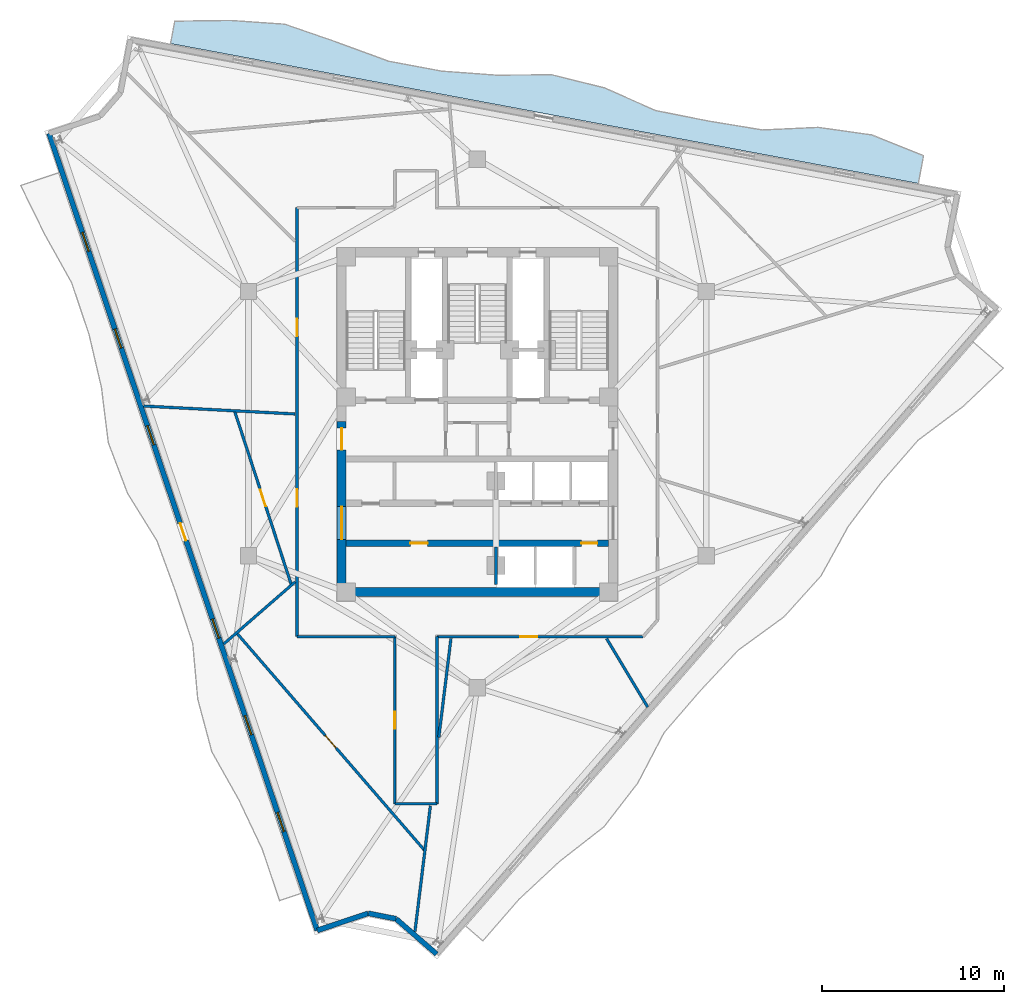
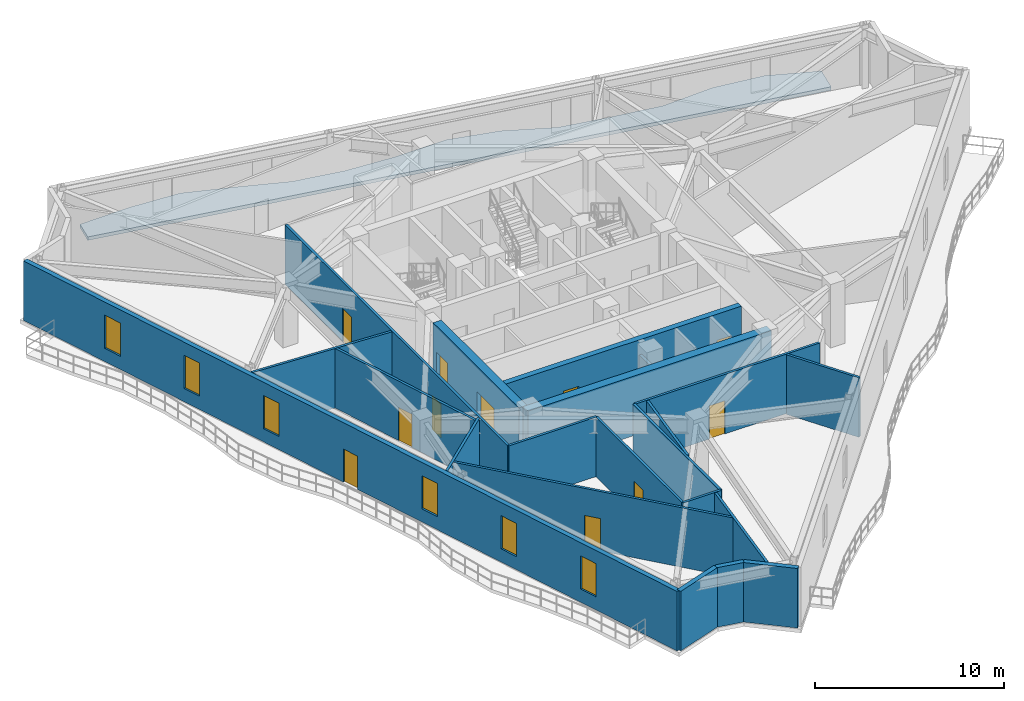
# One storey, part 4 of 11: 21 walls, 11 doors, 6 windows, 1 slab, 17 openings.
"""IFC4 building model written with IfcOpenShell, lengths in metres."""

import ifcopenshell
import ifcopenshell.guid

model = None  # the IFC model being written
_history = None  # IfcOwnerHistory: only IFC2X3 demands one
_inside = {}  # id of a spatial element -> (the spatial element, [elements in it])
_under = {}  # id of a project, library or spatial element -> (it, [spatial elements below it])
_declared = {}  # id of a project -> (the project, [libraries it declares])
_typed = {}  # id of a type object -> (the type object, [elements of that type])
_made_of = {}  # id of a material, layer set ... -> (it, [elements and type objects made of it])


def new_model(schema):
    """Start an empty IFC model of exactly this schema.

    Asked for "IFC4X3", IfcOpenShell would pick the latest addendum, in which some entities
    have other attributes; the version numbers below select the first issue.
    IFC2X3 requires an IfcOwnerHistory on every rooted entity: one is made here for all.
    """
    global model, _history
    if schema == "IFC4X3":
        model = ifcopenshell.file(schema_version=(4, 3, 0, 0))
    else:
        model = ifcopenshell.file(schema=schema)
    _inside.clear()
    _under.clear()
    _declared.clear()
    _typed.clear()
    _made_of.clear()
    _history = None
    if model.schema == "IFC2X3":
        org = make("IfcOrganization", Name="unknown")
        user = make(
            "IfcPersonAndOrganization",
            ThePerson=make("IfcPerson", FamilyName="unknown"),
            TheOrganization=org,
        )
        app = make(
            "IfcApplication",
            ApplicationDeveloper=org,
            Version="unknown",
            ApplicationFullName="unknown",
            ApplicationIdentifier="unknown",
        )
        _history = make(
            "IfcOwnerHistory",
            OwningUser=user,
            OwningApplication=app,
            ChangeAction="ADDED",
            CreationDate=0,
        )
    return model


def make(cls, **values):
    """One entity of the class cls with the attributes given. An attribute that is None is left unset."""
    return model.create_entity(
        cls, **{name: value for name, value in values.items() if value is not None}
    )


def rooted(cls, **values):
    """An entity with a GlobalId (a new one), such as an element, a storey or a relation."""
    return make(cls, GlobalId=ifcopenshell.guid.new(), OwnerHistory=_history, **values)


def si_unit(unit_type, name, prefix=None):
    """IfcSIUnit, for example si_unit("LENGTHUNIT", "METRE", prefix="MILLI")."""
    return make("IfcSIUnit", UnitType=unit_type, Prefix=prefix, Name=name)


def assignment(units):
    """IfcUnitAssignment: the units of a project."""
    return None if units is None else make("IfcUnitAssignment", Units=units)


def point(xyz):
    """IfcCartesianPoint."""
    return None if xyz is None else make("IfcCartesianPoint", Coordinates=xyz)


def direction(xyz):
    """IfcDirection."""
    return None if xyz is None else make("IfcDirection", DirectionRatios=xyz)


def frame(location, z_axis=None, x_axis=None):
    """IfcAxis2Placement3D, a coordinate frame: its origin and axes. An axis left out is left unset."""
    return make(
        "IfcAxis2Placement3D",
        Location=point(location),
        Axis=direction(z_axis),
        RefDirection=direction(x_axis),
    )


def frame_2d(location, x_axis=None):
    """IfcAxis2Placement2D, a coordinate frame in the plane: its origin and x axis."""
    return make(
        "IfcAxis2Placement2D", Location=point(location), RefDirection=direction(x_axis)
    )


def origin():
    """The frame at (0, 0, 0) with its axes left unset."""
    return frame((0.0, 0.0, 0.0))


def place(relative_to, where):
    """IfcLocalPlacement: puts the frame where relative to a parent placement (None: the world)."""
    return make(
        "IfcLocalPlacement", PlacementRelTo=relative_to, RelativePlacement=where
    )


def context(
    kind, dimensions, precision=None, world=None, true_north=None, identifier=None
):
    """IfcGeometricRepresentationContext, for example the 3D "Model" context."""
    return make(
        "IfcGeometricRepresentationContext",
        ContextIdentifier=identifier,
        ContextType=kind,
        CoordinateSpaceDimension=dimensions,
        Precision=precision,
        WorldCoordinateSystem=world,
        TrueNorth=true_north,
    )


def subcontext(parent, identifier, kind, view, scale=None):
    """IfcGeometricRepresentationSubContext, for example "Body" below "Model"."""
    return make(
        "IfcGeometricRepresentationSubContext",
        ContextIdentifier=identifier,
        ContextType=kind,
        ParentContext=parent,
        TargetScale=scale,
        TargetView=view,
    )


def project(units=None, contexts=None):
    """IfcProject with its units and contexts."""
    return rooted(
        "IfcProject",
        Name="project",
        RepresentationContexts=contexts,
        UnitsInContext=assignment(units),
    )


def spatial(cls, under=None, at=None, **own):
    """A site, building, storey or space (cls), placed at a placement, below another one or the project."""
    s = rooted(cls, ObjectPlacement=at, **own)
    if under is not None:
        _under.setdefault(under.id(), (under, []))[1].append(s)
    return s


def polyline(points):
    """IfcPolyline through the points."""
    return make("IfcPolyline", Points=[point(p) for p in points])


def profile(cls, at=None, kind="AREA", **sizes):
    """A parametric profile (cls). Its sizes go by their IFC names, for example OverallWidth=200.0."""
    return make(cls, ProfileType=kind, Position=at, **sizes)


def rectangle(**sizes):
    """IfcRectangleProfileDef."""
    return profile("IfcRectangleProfileDef", **sizes)


def outline(outer, holes=None, kind="AREA"):
    """IfcArbitraryClosedProfileDef: a profile drawn as a closed curve; with holes, ...WithVoids."""
    if holes is None:
        return make("IfcArbitraryClosedProfileDef", ProfileType=kind, OuterCurve=outer)
    return make(
        "IfcArbitraryProfileDefWithVoids",
        ProfileType=kind,
        OuterCurve=outer,
        InnerCurves=holes,
    )


def extrude(swept, where, along, depth):
    """IfcExtrudedAreaSolid: the profile swept, set in the frame where, extruded along a direction by depth."""
    return make(
        "IfcExtrudedAreaSolid",
        SweptArea=swept,
        Position=where,
        ExtrudedDirection=direction(along),
        Depth=depth,
    )


def shape(context_of_items, identifier, shape_type, items):
    """IfcShapeRepresentation: the items that make up one representation, for example the "Body"."""
    return make(
        "IfcShapeRepresentation",
        ContextOfItems=context_of_items,
        RepresentationIdentifier=identifier,
        RepresentationType=shape_type,
        Items=items,
    )


def material(Name=None, Category=None):
    """IfcMaterial."""
    return make("IfcMaterial", Name=Name, Category=Category)


def layer(
    of_material, thickness, ventilated=None, Name=None, Category=None, Priority=None
):
    """IfcMaterialLayer: one layer of a wall or slab, of a material (None: an air gap)."""
    return make(
        "IfcMaterialLayer",
        Material=of_material,
        LayerThickness=thickness,
        IsVentilated=ventilated,
        Name=Name,
        Category=Category,
        Priority=Priority,
    )


def layer_set(layers, Name=None):
    """IfcMaterialLayerSet."""
    return make("IfcMaterialLayerSet", MaterialLayers=layers, LayerSetName=Name)


def made_of(thing, what):
    """Note that an element or type object is made of a material, layer set ...; save() writes the relation."""
    if what is not None:
        _made_of.setdefault(what.id(), (what, []))[1].append(thing)
    return thing


def type_object(cls, material=None, **own):
    """A type object (cls), such as IfcWallType, which elements share."""
    return made_of(rooted(cls, **own), material)


def element(
    cls,
    number,
    at=None,
    inside=None,
    cuts=None,
    type_object=None,
    material=None,
    context=None,
    identifier="Body",
    shape_type=None,
    held_by="IfcProductDefinitionShape",
    body=None,
    shapes=None,
    **own,
):
    """One element of the class cls, such as IfcWall. Its Tag is "e" and its number.

    at: its placement. inside: the storey or other place that contains it. cuts: it is an
    opening in that element (IfcRelVoidsElement). A single representation is given by context,
    identifier, shape_type and body (its items); several are given by shapes. held_by: the class
    of the entity that holds the representations. save() writes the other relations.
    """
    e = rooted(cls, Tag="e%d" % number, ObjectPlacement=at, **own)
    if body is not None:
        shapes = [shape(context, identifier, shape_type, body)]
    if shapes is not None:
        e.Representation = make(held_by, Representations=shapes)
    if inside is not None:
        _inside.setdefault(inside.id(), (inside, []))[1].append(e)
    if cuts is not None:
        rooted(
            "IfcRelVoidsElement", RelatingBuildingElement=cuts, RelatedOpeningElement=e
        )
    if type_object is not None:
        _typed.setdefault(type_object.id(), (type_object, []))[1].append(e)
    return made_of(e, material)


def fill(opening, filler):
    """IfcRelFillsElement: the door or window that sits in an opening."""
    return rooted(
        "IfcRelFillsElement",
        RelatingOpeningElement=opening,
        RelatedBuildingElement=filler,
    )


def aggregate(whole, parts):
    """IfcRelAggregates: a whole, such as a stair, and the parts it consists of."""
    return rooted("IfcRelAggregates", RelatingObject=whole, RelatedObjects=parts)


def save(model, path):
    """Write the relations noted so far, then the file.

    IfcRelAggregates (storeys below a building ...), IfcRelContainedInSpatialStructure (elements
    in a storey), IfcRelDefinesByType, IfcRelAssociatesMaterial and IfcRelDeclares: one each for
    every whole, place, type object, material and project.
    """
    for whole, parts in _under.values():
        aggregate(whole, parts)
    for where, things in _inside.values():
        rooted(
            "IfcRelContainedInSpatialStructure",
            RelatedElements=things,
            RelatingStructure=where,
        )
    for kind, things in _typed.values():
        rooted("IfcRelDefinesByType", RelatedObjects=things, RelatingType=kind)
    for what, things in _made_of.values():
        rooted("IfcRelAssociatesMaterial", RelatedObjects=things, RelatingMaterial=what)
    for by, libraries in _declared.values():
        rooted("IfcRelDeclares", RelatingContext=by, RelatedDefinitions=libraries)
    model.write(path)


model = new_model("IFC4")

# Units and contexts
model_context = context("Model", 3, precision=1e-05, world=origin(), true_north=direction((0.0, 1.0)))
body_context = subcontext(model_context, "Body", "Model", "MODEL_VIEW")
ifc_project = project(units=[si_unit("LENGTHUNIT", "METRE"), si_unit("AREAUNIT", "SQUARE_METRE"), si_unit("VOLUMEUNIT", "CUBIC_METRE"), si_unit("PLANEANGLEUNIT", "RADIAN"), si_unit("MASSUNIT", "GRAM", prefix="KILO")], contexts=[model_context])

# Site, building, storey
site_placement = place(None, origin())
site = spatial("IfcSite", under=ifc_project, at=site_placement, CompositionType="ELEMENT")
building_placement = place(site_placement, origin())
building = spatial("IfcBuilding", under=site, at=building_placement, Name="Apsidion Concourse Tower", CompositionType="ELEMENT")
storey_placement = place(building_placement, frame((0.0, 0.0, 281.89990234375)))
storey = spatial("IfcBuildingStorey", under=building, at=storey_placement, Name="L66", CompositionType="ELEMENT", Elevation=281.89990234375)

# Slab
ifc_material_1 = material(Name="Concrete C50/60", Category="concrete")
ifc_layer_1 = layer(ifc_material_1, 0.219970703125)
ifc_layer_set_1 = layer_set([ifc_layer_1], Name="Concrete C50/60")
slab_type = type_object("IfcSlabType", Name="SL-BAL-220", PredefinedType="FLOOR", material=ifc_layer_set_1)
slab_placement = place(storey_placement, frame((0.0, 0.0, -0.219970703125)))
element("IfcSlab", 1, at=slab_placement, inside=storey, type_object=slab_type, Name="L66 Face 3 Rippling Balcony Slab", PredefinedType="FLOOR", context=body_context, shape_type="SweptSolid", body=[
    extrude(outline(polyline([(24.208251953125, 13.178955078125), (21.276123046875, 13.7275390625), (18.343994140625, 14.27587890625), (15.41162109375, 14.824462890625), (12.4794921875, 15.373046875), (9.54736328125, 15.921630859375), (6.615234375, 16.47021484375), (3.68310546875, 17.018798828125), (0.750732421875, 17.567138671875), (-2.181396484375, 18.11572265625), (-5.113525390625, 18.664306640625), (-8.045654296875, 19.212890625), (-10.977783203125, 19.761474609375), (-13.91015625, 20.309814453125), (-16.84228515625, 20.8583984375), (-16.6123046875, 22.087158203125), (-13.56982421875, 22.128173828125), (-10.57373046875, 21.921875), (-7.72314453125, 20.93701171875), (-4.8837890625, 19.89306640625), (-1.951416015625, 19.344482421875), (1.042236328125, 19.124755859375), (4.08056640625, 19.143310546875), (6.981201171875, 18.427001953125), (9.782958984375, 17.18115234375), (12.70947265625, 16.601806640625), (15.6533203125, 16.115478515625), (18.714599609375, 16.25732421875), (21.671142578125, 15.839599609375), (24.4931640625, 14.702392578125), (24.208251953125, 13.178955078125)])), origin(), (0.0, 0.0, 1.0), 0.219970703125),
])

# Walls
ifc_material_2 = material(Name="Precast concrete C40/50", Category="concrete")
ifc_layer_2 = layer(ifc_material_2, 0.280029296875)
ifc_layer_set_2 = layer_set([ifc_layer_2], Name="Precast concrete C40/50")
wall_type_1 = type_object("IfcWallType", Name="WL-EXT-280", PredefinedType="STANDARD", material=ifc_layer_set_2)
wall_1_placement = place(storey_placement, frame((-2.235595703125, -29.126220703125, 0.0), z_axis=(0.0, 0.0, 1.0), x_axis=(-0.754753154029, 0.656008899698, 0.0)))
element("IfcWall", 2, at=wall_1_placement, inside=storey, type_object=wall_type_1, Name="L66 Precast Stone Facade Wall 06", PredefinedType="STANDARD", context=body_context, shape_type="SweptSolid", body=[
    extrude(rectangle(XDim=2.95458984375, YDim=0.280029296875, at=frame_2d((1.477294921875, 0.0))), origin(), (0.0, 0.0, 1.0), 3.85009765625),
])
wall_2_placement = place(storey_placement, frame((-4.465576171875, -27.18798828125, 0.0), z_axis=(0.0, 0.0, 1.0), x_axis=(-0.980935552899, 0.194333324621, 0.0)))
element("IfcWall", 3, at=wall_2_placement, inside=storey, type_object=wall_type_1, Name="L66 Precast Stone Facade Wall 07", PredefinedType="STANDARD", context=body_context, shape_type="SweptSolid", body=[
    extrude(rectangle(XDim=1.553955078125, YDim=0.280029296875, at=frame_2d((0.77685546875, 0.0))), origin(), (0.0, 0.0, 1.0), 3.85009765625),
])
wall_3_placement = place(storey_placement, frame((-5.989990234375, -26.885986328125, 0.0), z_axis=(0.0, 0.0, 1.0), x_axis=(-0.947795421507, -0.318879035013, 0.0)))
element("IfcWall", 4, at=wall_3_placement, inside=storey, type_object=wall_type_1, Name="L66 Precast Stone Facade Wall 08", PredefinedType="STANDARD", context=body_context, shape_type="SweptSolid", body=[
    extrude(rectangle(XDim=2.95458984375, YDim=0.280029296875, at=frame_2d((1.477294921875, 0.0))), origin(), (0.0, 0.0, 1.0), 3.85009765625),
])

# Wall, openings, door, windows
wall_4_placement = place(storey_placement, frame((-8.790283203125, -27.828125, 0.0), z_axis=(0.0, 0.0, 1.0), x_axis=(-0.318898365887, 0.947788917552, 0.0)))
wall_4 = element("IfcWall", 5, at=wall_4_placement, inside=storey, type_object=wall_type_1, Name="L66 Precast Stone Facade Wall 09", PredefinedType="STANDARD", context=body_context, shape_type="SweptSolid", body=[
    extrude(rectangle(XDim=46.16259765625, YDim=0.280029296875, at=frame_2d((23.081298828125, 0.0))), origin(), (0.0, 0.0, 1.0), 3.85009765625),
])
opening_1_placement = place(wall_4_placement, frame((22.581298828125, 0.0, 0.0)))
opening_1 = element("IfcOpeningElement", 6, at=opening_1_placement, cuts=wall_4, Name="Opening D-T1L", PredefinedType="OPENING", context=body_context, shape_type="SweptSolid", body=[
    extrude(rectangle(XDim=1.0, YDim=2.14990234375, at=frame_2d((0.5, 1.074951171875))), frame((0.0, 0.14990234375, 0.0), z_axis=(0.0, -1.0, 0.0), x_axis=(1.0, 0.0, 0.0)), (0.0, 0.0, 1.0), 0.300048828125),
])
opening_2_placement = place(wall_4_placement, frame((5.731201171875, 0.0, 0.85009765625)))
opening_2 = element("IfcOpeningElement", 7, at=opening_2_placement, cuts=wall_4, Name="Opening WN-07", PredefinedType="OPENING", context=body_context, shape_type="SweptSolid", body=[
    extrude(rectangle(XDim=1.10009765625, YDim=2.14990234375, at=frame_2d((0.550048828125, 1.074951171875))), frame((0.0, 0.14990234375, 0.0), z_axis=(0.0, -1.0, 0.0), x_axis=(1.0, 0.0, 0.0)), (0.0, 0.0, 1.0), 0.300048828125),
])
opening_3_placement = place(wall_4_placement, frame((11.331298828125, 0.0, 0.85009765625)))
opening_3 = element("IfcOpeningElement", 8, at=opening_3_placement, cuts=wall_4, Name="Opening WN-07", PredefinedType="OPENING", context=body_context, shape_type="SweptSolid", body=[
    extrude(rectangle(XDim=1.10009765625, YDim=2.14990234375, at=frame_2d((0.550048828125, 1.074951171875))), frame((0.0, 0.14990234375, 0.0), z_axis=(0.0, -1.0, 0.0), x_axis=(1.0, 0.0, 0.0)), (0.0, 0.0, 1.0), 0.300048828125),
])
opening_4_placement = place(wall_4_placement, frame((16.931396484375, 0.0, 0.85009765625)))
opening_4 = element("IfcOpeningElement", 9, at=opening_4_placement, cuts=wall_4, Name="Opening WN-07", PredefinedType="OPENING", context=body_context, shape_type="SweptSolid", body=[
    extrude(rectangle(XDim=1.10009765625, YDim=2.14990234375, at=frame_2d((0.550048828125, 1.074951171875))), frame((0.0, 0.14990234375, 0.0), z_axis=(0.0, -1.0, 0.0), x_axis=(1.0, 0.0, 0.0)), (0.0, 0.0, 1.0), 0.300048828125),
])
opening_5_placement = place(wall_4_placement, frame((28.13134765625, 0.0, 0.85009765625)))
opening_5 = element("IfcOpeningElement", 10, at=opening_5_placement, cuts=wall_4, Name="Opening WN-07", PredefinedType="OPENING", context=body_context, shape_type="SweptSolid", body=[
    extrude(rectangle(XDim=1.10009765625, YDim=2.14990234375, at=frame_2d((0.550048828125, 1.074951171875))), frame((0.0, 0.14990234375, 0.0), z_axis=(0.0, -1.0, 0.0), x_axis=(1.0, 0.0, 0.0)), (0.0, 0.0, 1.0), 0.300048828125),
])
opening_6_placement = place(wall_4_placement, frame((33.731201171875, 0.0, 0.85009765625)))
opening_6 = element("IfcOpeningElement", 11, at=opening_6_placement, cuts=wall_4, Name="Opening WN-07", PredefinedType="OPENING", context=body_context, shape_type="SweptSolid", body=[
    extrude(rectangle(XDim=1.10009765625, YDim=2.14990234375, at=frame_2d((0.550048828125, 1.074951171875))), frame((0.0, 0.14990234375, 0.0), z_axis=(0.0, -1.0, 0.0), x_axis=(1.0, 0.0, 0.0)), (0.0, 0.0, 1.0), 0.300048828125),
])
opening_7_placement = place(wall_4_placement, frame((39.331298828125, 0.0, 0.85009765625)))
opening_7 = element("IfcOpeningElement", 12, at=opening_7_placement, cuts=wall_4, Name="Opening WN-07", PredefinedType="OPENING", context=body_context, shape_type="SweptSolid", body=[
    extrude(rectangle(XDim=1.10009765625, YDim=2.14990234375, at=frame_2d((0.550048828125, 1.074951171875))), frame((0.0, 0.14990234375, 0.0), z_axis=(0.0, -1.0, 0.0), x_axis=(1.0, 0.0, 0.0)), (0.0, 0.0, 1.0), 0.300048828125),
])
ifc_material_3 = material(Name="Anodised aluminium EN AW-6063 T6", Category="aluminium")
door_type_1 = type_object("IfcDoorType", Name="DR-TER-1022L", OperationType="SINGLE_SWING_LEFT", PredefinedType="DOOR", material=ifc_material_3)
door_1_placement = place(opening_1_placement, origin())
door_1 = element("IfcDoor", 13, at=door_1_placement, inside=storey, type_object=door_type_1, Name="L66 Balcony Access Door 1", OperationType="SINGLE_SWING_LEFT", OverallHeight=2.14990234375, OverallWidth=1.0, PredefinedType="DOOR", context=body_context, shape_type="SweptSolid", body=[
    extrude(rectangle(XDim=1.0, YDim=2.14990234375, at=frame_2d((0.5, 1.074951171875))), frame((0.0, 0.02490234375, 0.0), z_axis=(0.0, -1.0, 0.0), x_axis=(1.0, 0.0, 0.0)), (0.0, 0.0, 1.0), 0.050048828125),
])
fill(opening_1, door_1)
ifc_material_4 = material(Name="Insulated laminated low-E glass", Category="glass")
window_type = type_object("IfcWindowType", Name="WN-OFF-1123", PartitioningType="SINGLE_PANEL", PredefinedType="WINDOW", material=ifc_material_4)
window_1_placement = place(opening_2_placement, origin())
window_1 = element("IfcWindow", 14, at=window_1_placement, inside=storey, type_object=window_type, Name="L66 Punched Facade Window 9-01", OverallHeight=2.14990234375, OverallWidth=1.10009765625, PartitioningType="SINGLE_PANEL", PredefinedType="WINDOW", context=body_context, shape_type="SweptSolid", body=[
    extrude(rectangle(XDim=1.10009765625, YDim=2.14990234375, at=frame_2d((0.550048828125, 1.074951171875))), frame((0.0, 0.030029296875, 0.0), z_axis=(0.0, -1.0, 0.0), x_axis=(1.0, 0.0, 0.0)), (0.0, 0.0, 1.0), 0.06005859375),
])
fill(opening_2, window_1)
window_2_placement = place(opening_3_placement, origin())
window_2 = element("IfcWindow", 15, at=window_2_placement, inside=storey, type_object=window_type, Name="L66 Punched Facade Window 9-02", OverallHeight=2.14990234375, OverallWidth=1.10009765625, PartitioningType="SINGLE_PANEL", PredefinedType="WINDOW", context=body_context, shape_type="SweptSolid", body=[
    extrude(rectangle(XDim=1.10009765625, YDim=2.14990234375, at=frame_2d((0.550048828125, 1.074951171875))), frame((0.0, 0.030029296875, 0.0), z_axis=(0.0, -1.0, 0.0), x_axis=(1.0, 0.0, 0.0)), (0.0, 0.0, 1.0), 0.06005859375),
])
fill(opening_3, window_2)
window_3_placement = place(opening_4_placement, origin())
window_3 = element("IfcWindow", 16, at=window_3_placement, inside=storey, type_object=window_type, Name="L66 Punched Facade Window 9-03", OverallHeight=2.14990234375, OverallWidth=1.10009765625, PartitioningType="SINGLE_PANEL", PredefinedType="WINDOW", context=body_context, shape_type="SweptSolid", body=[
    extrude(rectangle(XDim=1.10009765625, YDim=2.14990234375, at=frame_2d((0.550048828125, 1.074951171875))), frame((0.0, 0.030029296875, 0.0), z_axis=(0.0, -1.0, 0.0), x_axis=(1.0, 0.0, 0.0)), (0.0, 0.0, 1.0), 0.06005859375),
])
fill(opening_4, window_3)
window_4_placement = place(opening_5_placement, origin())
window_4 = element("IfcWindow", 17, at=window_4_placement, inside=storey, type_object=window_type, Name="L66 Punched Facade Window 9-05", OverallHeight=2.14990234375, OverallWidth=1.10009765625, PartitioningType="SINGLE_PANEL", PredefinedType="WINDOW", context=body_context, shape_type="SweptSolid", body=[
    extrude(rectangle(XDim=1.10009765625, YDim=2.14990234375, at=frame_2d((0.550048828125, 1.074951171875))), frame((0.0, 0.030029296875, 0.0), z_axis=(0.0, -1.0, 0.0), x_axis=(1.0, 0.0, 0.0)), (0.0, 0.0, 1.0), 0.06005859375),
])
fill(opening_5, window_4)
window_5_placement = place(opening_6_placement, origin())
window_5 = element("IfcWindow", 18, at=window_5_placement, inside=storey, type_object=window_type, Name="L66 Punched Facade Window 9-06", OverallHeight=2.14990234375, OverallWidth=1.10009765625, PartitioningType="SINGLE_PANEL", PredefinedType="WINDOW", context=body_context, shape_type="SweptSolid", body=[
    extrude(rectangle(XDim=1.10009765625, YDim=2.14990234375, at=frame_2d((0.550048828125, 1.074951171875))), frame((0.0, 0.030029296875, 0.0), z_axis=(0.0, -1.0, 0.0), x_axis=(1.0, 0.0, 0.0)), (0.0, 0.0, 1.0), 0.06005859375),
])
fill(opening_6, window_5)
window_6_placement = place(opening_7_placement, origin())
window_6 = element("IfcWindow", 19, at=window_6_placement, inside=storey, type_object=window_type, Name="L66 Punched Facade Window 9-07", OverallHeight=2.14990234375, OverallWidth=1.10009765625, PartitioningType="SINGLE_PANEL", PredefinedType="WINDOW", context=body_context, shape_type="SweptSolid", body=[
    extrude(rectangle(XDim=1.10009765625, YDim=2.14990234375, at=frame_2d((0.550048828125, 1.074951171875))), frame((0.0, 0.030029296875, 0.0), z_axis=(0.0, -1.0, 0.0), x_axis=(1.0, 0.0, 0.0)), (0.0, 0.0, 1.0), 0.06005859375),
])
fill(opening_7, window_6)

# Wall
ifc_material_5 = material(Name="Gypsum plasterboard partition")
ifc_layer_3 = layer(ifc_material_5, 0.14990234375)
ifc_layer_set_3 = layer_set([ifc_layer_3], Name="Gypsum plasterboard partition")
wall_type_2 = type_object("IfcWallType", Name="WL-INT-PAR-150", PredefinedType="PARTITIONING", material=ifc_layer_set_3)
wall_5_placement = place(storey_placement, frame((-4.530029296875, -11.699951171875, 0.0), z_axis=(0.0, 0.0, 1.0), x_axis=(-1.0, 0.0, 0.0)))
element("IfcWall", 20, at=wall_5_placement, inside=storey, type_object=wall_type_2, Name="L66 Interior Partition WL-L66-CORR-01", PredefinedType="PARTITIONING", context=body_context, shape_type="SweptSolid", body=[
    extrude(rectangle(XDim=5.369873046875, YDim=0.14990234375, at=frame_2d((2.68505859375, 0.0))), origin(), (0.0, 0.0, 1.0), 3.85009765625),
])

# Wall, openings, doors
wall_6_placement = place(storey_placement, frame((-9.89990234375, -11.699951171875, 0.0), z_axis=(0.0, 0.0, 1.0), x_axis=(0.0, 1.0, 0.0)))
wall_6 = element("IfcWall", 21, at=wall_6_placement, inside=storey, type_object=wall_type_2, Name="L66 Interior Partition WL-L66-CORR-02", PredefinedType="PARTITIONING", context=body_context, shape_type="SweptSolid", body=[
    extrude(rectangle(XDim=23.550048828125, YDim=0.14990234375, at=frame_2d((11.77490234375, 0.0))), origin(), (0.0, 0.0, 1.0), 3.85009765625),
])
opening_8_placement = place(wall_6_placement, frame((7.136474609375, 0.0, 0.0)))
opening_8 = element("IfcOpeningElement", 22, at=opening_8_placement, cuts=wall_6, Name="Opening D-01L", PredefinedType="OPENING", context=body_context, shape_type="SweptSolid", body=[
    extrude(rectangle(XDim=0.949951171875, YDim=2.14990234375, at=frame_2d((0.47509765625, 1.074951171875))), frame((0.0, 0.0849609375, 0.0), z_axis=(0.0, -1.0, 0.0), x_axis=(1.0, 0.0, 0.0)), (0.0, 0.0, 1.0), 0.169921875),
])
opening_9_placement = place(wall_6_placement, frame((16.4951171875, 0.0, 0.0)))
opening_9 = element("IfcOpeningElement", 23, at=opening_9_placement, cuts=wall_6, Name="Opening D-01L", PredefinedType="OPENING", context=body_context, shape_type="SweptSolid", body=[
    extrude(rectangle(XDim=0.949951171875, YDim=2.14990234375, at=frame_2d((0.47509765625, 1.074951171875))), frame((0.0, 0.0849609375, 0.0), z_axis=(0.0, -1.0, 0.0), x_axis=(1.0, 0.0, 0.0)), (0.0, 0.0, 1.0), 0.169921875),
])
ifc_material_6 = material(Name="Brushed stainless steel 316", Category="steel")
door_type_2 = type_object("IfcDoorType", Name="DR-INT-D01L", OperationType="SINGLE_SWING_LEFT", PredefinedType="DOOR", material=ifc_material_6)
door_2_placement = place(opening_8_placement, origin())
door_2 = element("IfcDoor", 24, at=door_2_placement, inside=storey, type_object=door_type_2, Name="L66 Corridor Entry Door 01", OperationType="SINGLE_SWING_LEFT", OverallHeight=2.14990234375, OverallWidth=0.949951171875, PredefinedType="DOOR", context=body_context, shape_type="SweptSolid", body=[
    extrude(rectangle(XDim=0.949951171875, YDim=2.14990234375, at=frame_2d((0.47509765625, 1.074951171875))), frame((0.0, 0.02490234375, 0.0), z_axis=(0.0, -1.0, 0.0), x_axis=(1.0, 0.0, 0.0)), (0.0, 0.0, 1.0), 0.050048828125),
])
fill(opening_8, door_2)
door_3_placement = place(opening_9_placement, origin())
door_3 = element("IfcDoor", 25, at=door_3_placement, inside=storey, type_object=door_type_2, Name="L66 Corridor Entry Door 09", OperationType="SINGLE_SWING_LEFT", OverallHeight=2.14990234375, OverallWidth=0.949951171875, PredefinedType="DOOR", context=body_context, shape_type="SweptSolid", body=[
    extrude(rectangle(XDim=0.949951171875, YDim=2.14990234375, at=frame_2d((0.47509765625, 1.074951171875))), frame((0.0, 0.02490234375, 0.0), z_axis=(0.0, -1.0, 0.0), x_axis=(1.0, 0.0, 0.0)), (0.0, 0.0, 1.0), 0.050048828125),
])
fill(opening_9, door_3)

# Wall, opening, door
wall_7_placement = place(storey_placement, frame((9.103271484375, -11.699951171875, 0.0), z_axis=(0.0, 0.0, 1.0), x_axis=(-1.0, 0.0, 0.0)))
wall_7 = element("IfcWall", 26, at=wall_7_placement, inside=storey, type_object=wall_type_2, Name="L66 Interior Partition WL-L66-CORR-10", PredefinedType="PARTITIONING", context=body_context, shape_type="SweptSolid", body=[
    extrude(rectangle(XDim=11.3232421875, YDim=0.14990234375, at=frame_2d((5.66162109375, 0.0))), origin(), (0.0, 0.0, 1.0), 3.85009765625),
])
opening_10_placement = place(wall_7_placement, frame((5.809326171875, 0.0, 0.0)))
opening_10 = element("IfcOpeningElement", 27, at=opening_10_placement, cuts=wall_7, Name="Opening D-01L", PredefinedType="OPENING", context=body_context, shape_type="SweptSolid", body=[
    extrude(rectangle(XDim=0.949951171875, YDim=2.14990234375, at=frame_2d((0.47509765625, 1.074951171875))), frame((0.0, 0.0849609375, 0.0), z_axis=(0.0, -1.0, 0.0), x_axis=(1.0, 0.0, 0.0)), (0.0, 0.0, 1.0), 0.169921875),
])
door_4_placement = place(opening_10_placement, origin())
door_4 = element("IfcDoor", 28, at=door_4_placement, inside=storey, type_object=door_type_2, Name="L66 Corridor Entry Door 03", OperationType="SINGLE_SWING_LEFT", OverallHeight=2.14990234375, OverallWidth=0.949951171875, PredefinedType="DOOR", context=body_context, shape_type="SweptSolid", body=[
    extrude(rectangle(XDim=0.949951171875, YDim=2.14990234375, at=frame_2d((0.47509765625, 1.074951171875))), frame((0.0, 0.02490234375, 0.0), z_axis=(0.0, -1.0, 0.0), x_axis=(1.0, 0.0, 0.0)), (0.0, 0.0, 1.0), 0.050048828125),
])
fill(opening_10, door_4)

# Walls
wall_8_placement = place(storey_placement, frame((-2.219970703125, -11.699951171875, 0.0), z_axis=(0.0, 0.0, 1.0), x_axis=(0.0, -1.0, 0.0)))
element("IfcWall", 29, at=wall_8_placement, inside=storey, type_object=wall_type_2, Name="L66 Interior Partition WL-L66-CORR-11", PredefinedType="PARTITIONING", context=body_context, shape_type="SweptSolid", body=[
    extrude(rectangle(XDim=9.179931640625, YDim=0.14990234375, at=frame_2d((4.58984375, 0.0))), origin(), (0.0, 0.0, 1.0), 3.85009765625),
])
wall_9_placement = place(storey_placement, frame((-2.219970703125, -20.8798828125, 0.0), z_axis=(0.0, 0.0, 1.0), x_axis=(-1.0, 0.0, 0.0)))
element("IfcWall", 30, at=wall_9_placement, inside=storey, type_object=wall_type_2, Name="L66 Interior Partition WL-L66-CORR-12", PredefinedType="PARTITIONING", context=body_context, shape_type="SweptSolid", body=[
    extrude(rectangle(XDim=2.31005859375, YDim=0.14990234375, at=frame_2d((1.155029296875, 0.0))), origin(), (0.0, 0.0, 1.0), 3.85009765625),
])

# Wall, opening, door
wall_10_placement = place(storey_placement, frame((-4.530029296875, -20.8798828125, 0.0), z_axis=(0.0, 0.0, 1.0), x_axis=(0.0, 1.0, 0.0)))
wall_10 = element("IfcWall", 31, at=wall_10_placement, inside=storey, type_object=wall_type_2, Name="L66 Interior Partition WL-L66-CORR-13", PredefinedType="PARTITIONING", context=body_context, shape_type="SweptSolid", body=[
    extrude(rectangle(XDim=9.179931640625, YDim=0.14990234375, at=frame_2d((4.58984375, 0.0))), origin(), (0.0, 0.0, 1.0), 3.85009765625),
])
opening_11_placement = place(wall_10_placement, frame((4.114990234375, 0.0, 0.0)))
opening_11 = element("IfcOpeningElement", 32, at=opening_11_placement, cuts=wall_10, Name="Opening D-01R", PredefinedType="OPENING", context=body_context, shape_type="SweptSolid", body=[
    extrude(rectangle(XDim=0.949951171875, YDim=2.14990234375, at=frame_2d((0.47509765625, 1.074951171875))), frame((0.0, 0.0849609375, 0.0), z_axis=(0.0, -1.0, 0.0), x_axis=(1.0, 0.0, 0.0)), (0.0, 0.0, 1.0), 0.169921875),
])
door_type_3 = type_object("IfcDoorType", Name="DR-INT-D01R", OperationType="SINGLE_SWING_RIGHT", PredefinedType="DOOR", material=ifc_material_6)
door_5_placement = place(opening_11_placement, origin())
door_5 = element("IfcDoor", 33, at=door_5_placement, inside=storey, type_object=door_type_3, Name="L66 Corridor Entry Door 02", OperationType="SINGLE_SWING_RIGHT", OverallHeight=2.14990234375, OverallWidth=0.949951171875, PredefinedType="DOOR", context=body_context, shape_type="SweptSolid", body=[
    extrude(rectangle(XDim=0.949951171875, YDim=2.14990234375, at=frame_2d((0.47509765625, 1.074951171875))), frame((0.0, 0.02490234375, 0.0), z_axis=(0.0, -1.0, 0.0), x_axis=(1.0, 0.0, 0.0)), (0.0, 0.0, 1.0), 0.050048828125),
])
fill(opening_11, door_5)

# Walls
wall_11_placement = place(storey_placement, frame((-10.0048828125, 0.5244140625, 0.0), z_axis=(0.0, 0.0, 1.0), x_axis=(-0.998630204495, 0.052323175275, 0.0)))
element("IfcWall", 34, at=wall_11_placement, inside=storey, type_object=wall_type_2, Name="L66 Interior Partition WL-L66-RAD-05-1", PredefinedType="PARTITIONING", context=body_context, shape_type="SweptSolid", body=[
    extrude(rectangle(XDim=8.319580078125, YDim=0.14990234375, at=frame_2d((4.15966796875, 0.0))), origin(), (0.0, 0.0, 1.0), 3.85009765625),
])
wall_12_placement = place(storey_placement, frame((-10.0048828125, -8.697265625, 0.0), z_axis=(0.0, 0.0, 1.0), x_axis=(-0.754719019768, -0.656048169878, 0.0)))
element("IfcWall", 35, at=wall_12_placement, inside=storey, type_object=wall_type_2, Name="L66 Interior Partition WL-L66-RAD-06-1", PredefinedType="PARTITIONING", context=body_context, shape_type="SweptSolid", body=[
    extrude(rectangle(XDim=5.18603515625, YDim=0.14990234375, at=frame_2d((2.593017578125, 0.0))), origin(), (0.0, 0.0, 1.0), 3.85009765625),
])
wall_13_placement = place(storey_placement, frame((-1.449462890625, -11.804931640625, 0.0), z_axis=(0.0, 0.0, 1.0), x_axis=(-0.121866576679, -0.992546491349, 0.0)))
element("IfcWall", 36, at=wall_13_placement, inside=storey, type_object=wall_type_2, Name="L66 Interior Partition WL-L66-RAD-07-1", PredefinedType="PARTITIONING", context=body_context, shape_type="SweptSolid", body=[
    extrude(rectangle(XDim=5.461181640625, YDim=0.14990234375, at=frame_2d((2.73046875, 0.0))), origin(), (0.0, 0.0, 1.0), 3.85009765625),
])
wall_14_placement = place(storey_placement, frame((-2.57666015625, -20.985107421875, 0.0), z_axis=(0.0, 0.0, 1.0), x_axis=(-0.12188705435, -0.99254397685, 0.0)))
element("IfcWall", 37, at=wall_14_placement, inside=storey, type_object=wall_type_2, Name="L66 Interior Partition WL-L66-RAD-07-2", PredefinedType="PARTITIONING", context=body_context, shape_type="SweptSolid", body=[
    extrude(rectangle(XDim=6.954345703125, YDim=0.14990234375, at=frame_2d((3.47705078125, 0.0))), origin(), (0.0, 0.0, 1.0), 3.85009765625),
])
wall_15_placement = place(storey_placement, frame((7.09326171875, -11.804931640625, 0.0), z_axis=(0.0, 0.0, 1.0), x_axis=(0.514995377256, -0.857192954594, 0.0)))
element("IfcWall", 38, at=wall_15_placement, inside=storey, type_object=wall_type_2, Name="L66 Interior Partition WL-L66-RAD-08-1", PredefinedType="PARTITIONING", context=body_context, shape_type="SweptSolid", body=[
    extrude(rectangle(XDim=4.3828125, YDim=0.14990234375, at=frame_2d((2.19140625, 0.0))), origin(), (0.0, 0.0, 1.0), 3.85009765625),
])

# Wall, opening, door
wall_16_placement = place(storey_placement, frame((-13.321533203125, 0.673095703125, 0.0), z_axis=(0.0, 0.0, 1.0), x_axis=(0.31038469489, -0.950611035691, 0.0)))
wall_16 = element("IfcWall", 39, at=wall_16_placement, inside=storey, type_object=wall_type_2, Name="L66 Interior Partition WL-L66-CHD-OFWC", PredefinedType="PARTITIONING", context=body_context, shape_type="SweptSolid", body=[
    extrude(rectangle(XDim=10.01318359375, YDim=0.14990234375, at=frame_2d((5.006591796875, 0.0))), origin(), (0.0, 0.0, 1.0), 3.85009765625),
])
opening_12_placement = place(wall_16_placement, frame((4.531494140625, 0.0, 0.0)))
opening_12 = element("IfcOpeningElement", 40, at=opening_12_placement, cuts=wall_16, Name="Opening D-04L", PredefinedType="OPENING", context=body_context, shape_type="SweptSolid", body=[
    extrude(rectangle(XDim=0.949951171875, YDim=2.14990234375, at=frame_2d((0.47509765625, 1.074951171875))), frame((0.0, 0.0849609375, 0.0), z_axis=(0.0, -1.0, 0.0), x_axis=(1.0, 0.0, 0.0)), (0.0, 0.0, 1.0), 0.169921875),
])
door_type_4 = type_object("IfcDoorType", Name="DR-INT-D04L", OperationType="SINGLE_SWING_LEFT", PredefinedType="DOOR", material=ifc_material_6)
door_6_placement = place(opening_12_placement, origin())
door_6 = element("IfcDoor", 41, at=door_6_placement, inside=storey, type_object=door_type_4, Name="L66 Suite Connecting Door OFWC", OperationType="SINGLE_SWING_LEFT", OverallHeight=2.14990234375, OverallWidth=0.949951171875, PredefinedType="DOOR", context=body_context, shape_type="SweptSolid", body=[
    extrude(rectangle(XDim=0.949951171875, YDim=2.14990234375, at=frame_2d((0.47509765625, 1.074951171875))), frame((0.0, 0.02490234375, 0.0), z_axis=(0.0, -1.0, 0.0), x_axis=(1.0, 0.0, 0.0)), (0.0, 0.0, 1.0), 0.050048828125),
])
fill(opening_12, door_6)

wall_17_placement = place(storey_placement, frame((-13.202392578125, -11.510009765625, 0.0), z_axis=(0.0, 0.0, 1.0), x_axis=(0.653948688388, -0.756538903795, 0.0)))
wall_17 = element("IfcWall", 42, at=wall_17_placement, inside=storey, type_object=wall_type_2, Name="L66 Interior Partition WL-L66-CHD-OFS01", PredefinedType="PARTITIONING", context=body_context, shape_type="SweptSolid", body=[
    extrude(rectangle(XDim=15.751708984375, YDim=0.14990234375, at=frame_2d((7.8759765625, 0.0))), origin(), (0.0, 0.0, 1.0), 3.85009765625),
])
opening_13_placement = place(wall_17_placement, frame((7.42578125, 0.0, 0.0)))
opening_13 = element("IfcOpeningElement", 43, at=opening_13_placement, cuts=wall_17, Name="Opening D-02R", PredefinedType="OPENING", context=body_context, shape_type="SweptSolid", body=[
    extrude(rectangle(XDim=0.89990234375, YDim=2.10009765625, at=frame_2d((0.449951171875, 1.050048828125))), frame((0.0, 0.0849609375, 0.0), z_axis=(0.0, -1.0, 0.0), x_axis=(1.0, 0.0, 0.0)), (0.0, 0.0, 1.0), 0.169921875),
])
door_type_5 = type_object("IfcDoorType", Name="DR-INT-D02R", OperationType="SINGLE_SWING_RIGHT", PredefinedType="DOOR", material=ifc_material_3)
door_7_placement = place(opening_13_placement, origin())
door_7 = element("IfcDoor", 44, at=door_7_placement, inside=storey, type_object=door_type_5, Name="L66 Suite Connecting Door OFS01", OperationType="SINGLE_SWING_RIGHT", OverallHeight=2.10009765625, OverallWidth=0.89990234375, PredefinedType="DOOR", context=body_context, shape_type="SweptSolid", body=[
    extrude(rectangle(XDim=0.89990234375, YDim=2.10009765625, at=frame_2d((0.449951171875, 1.050048828125))), frame((0.0, 0.02490234375, 0.0), z_axis=(0.0, -1.0, 0.0), x_axis=(1.0, 0.0, 0.0)), (0.0, 0.0, 1.0), 0.050048828125),
])
fill(opening_13, door_7)

# Wall
ifc_layer_4 = layer(ifc_material_5, 0.179931640625)
ifc_layer_set_4 = layer_set([ifc_layer_4], Name="Gypsum plasterboard partition")
wall_type_3 = type_object("IfcWallType", Name="WL-INT-PAR-180", PredefinedType="PARTITIONING", material=ifc_layer_set_4)
wall_18_placement = place(storey_placement, frame((1.02490234375, -8.85009765625, 0.0), z_axis=(0.0, 0.0, 1.0), x_axis=(0.0, 1.0, 0.0)))
element("IfcWall", 45, at=wall_18_placement, inside=storey, type_object=wall_type_3, Name="L66 Interior Partition WL-L66-B2END", PredefinedType="PARTITIONING", context=body_context, shape_type="SweptSolid", body=[
    extrude(rectangle(XDim=2.080078125, YDim=0.179931640625, at=frame_2d((1.0400390625, 0.0))), origin(), (0.0, 0.0, 1.0), 2.898193359375),
])

# Wall, openings, doors
ifc_layer_5 = layer(ifc_material_1, 0.35009765625)
ifc_layer_set_5 = layer_set([ifc_layer_5], Name="Concrete C50/60")
wall_type_4 = type_object("IfcWallType", Name="WL-SH-350", PredefinedType="SHEAR", material=ifc_layer_set_5)
wall_19_placement = place(storey_placement, frame((-7.199951171875, -6.570068359375, 0.0), z_axis=(0.0, 0.0, 1.0), x_axis=(1.0, 0.0, 0.0)))
wall_19 = element("IfcWall", 46, at=wall_19_placement, inside=storey, type_object=wall_type_4, Name="L66 Central Core Shear Wall LB", PredefinedType="SHEAR", context=body_context, shape_type="SweptSolid", body=[
    extrude(rectangle(XDim=14.39990234375, YDim=0.35009765625, at=frame_2d((7.199951171875, 0.0))), origin(), (0.0, 0.0, 1.0), 3.85009765625),
])
opening_14_placement = place(wall_19_placement, frame((3.52490234375, 0.0, 0.0)))
opening_14 = element("IfcOpeningElement", 47, at=opening_14_placement, cuts=wall_19, Name="Opening D-04L", PredefinedType="OPENING", context=body_context, shape_type="SweptSolid", body=[
    extrude(rectangle(XDim=0.949951171875, YDim=2.14990234375, at=frame_2d((0.47509765625, 1.074951171875))), frame((0.0, 0.18505859375, 0.0), z_axis=(0.0, -1.0, 0.0), x_axis=(1.0, 0.0, 0.0)), (0.0, 0.0, 1.0), 0.3701171875),
])
opening_15_placement = place(wall_19_placement, frame((12.909912109375, 0.0, 0.0)))
opening_15 = element("IfcOpeningElement", 48, at=opening_15_placement, cuts=wall_19, Name="Opening D-05L", PredefinedType="OPENING", context=body_context, shape_type="SweptSolid", body=[
    extrude(rectangle(XDim=0.8798828125, YDim=2.14990234375, at=frame_2d((0.43994140625, 1.074951171875))), frame((0.0, 0.18505859375, 0.0), z_axis=(0.0, -1.0, 0.0), x_axis=(1.0, 0.0, 0.0)), (0.0, 0.0, 1.0), 0.3701171875),
])
door_8_placement = place(opening_14_placement, origin())
door_8 = element("IfcDoor", 49, at=door_8_placement, inside=storey, type_object=door_type_4, Name="L66 Executive Archive and Mail Room Door", OperationType="SINGLE_SWING_LEFT", OverallHeight=2.14990234375, OverallWidth=0.949951171875, PredefinedType="DOOR", context=body_context, shape_type="SweptSolid", body=[
    extrude(rectangle(XDim=0.949951171875, YDim=2.14990234375, at=frame_2d((0.47509765625, 1.074951171875))), frame((0.0, 0.02490234375, 0.0), z_axis=(0.0, -1.0, 0.0), x_axis=(1.0, 0.0, 0.0)), (0.0, 0.0, 1.0), 0.050048828125),
])
fill(opening_14, door_8)
door_type_6 = type_object("IfcDoorType", Name="DR-INT-D05L", OperationType="SINGLE_SWING_LEFT", PredefinedType="DOOR", material=ifc_material_6)
door_9_placement = place(opening_15_placement, origin())
door_9 = element("IfcDoor", 50, at=door_9_placement, inside=storey, type_object=door_type_6, Name="L66 Cleaners Store Door", OperationType="SINGLE_SWING_LEFT", OverallHeight=2.14990234375, OverallWidth=0.8798828125, PredefinedType="DOOR", context=body_context, shape_type="SweptSolid", body=[
    extrude(rectangle(XDim=0.8798828125, YDim=2.14990234375, at=frame_2d((0.43994140625, 1.074951171875))), frame((0.0, 0.02490234375, 0.0), z_axis=(0.0, -1.0, 0.0), x_axis=(1.0, 0.0, 0.0)), (0.0, 0.0, 1.0), 0.050048828125),
])
fill(opening_15, door_9)

ifc_layer_6 = layer(ifc_material_1, 0.5)
ifc_layer_set_6 = layer_set([ifc_layer_6], Name="Concrete C50/60")
wall_type_5 = type_object("IfcWallType", Name="WL-SH-500", PredefinedType="SHEAR", material=ifc_layer_set_6)
wall_20_placement = place(storey_placement, frame((-7.449951171875, -9.0, 0.0), z_axis=(0.0, 0.0, 1.0), x_axis=(0.0, 1.0, 0.0)))
wall_20 = element("IfcWall", 51, at=wall_20_placement, inside=storey, type_object=wall_type_5, Name="L66 Central Core Shear Wall WS", PredefinedType="SHEAR", context=body_context, shape_type="SweptSolid", body=[
    extrude(rectangle(XDim=9.10009765625, YDim=0.5, at=frame_2d((4.550048828125, 0.0))), origin(), (0.0, 0.0, 1.0), 3.85009765625),
])
opening_16_placement = place(wall_20_placement, frame((2.639892578125, 0.0, 0.0)))
opening_16 = element("IfcOpeningElement", 52, at=opening_16_placement, cuts=wall_20, Name="Opening D-06D", PredefinedType="OPENING", context=body_context, shape_type="SweptSolid", body=[
    extrude(rectangle(XDim=1.800048828125, YDim=2.199951171875, at=frame_2d((0.89990234375, 1.10009765625))), frame((0.0, 0.260009765625, 0.0), z_axis=(0.0, -1.0, 0.0), x_axis=(1.0, 0.0, 0.0)), (0.0, 0.0, 1.0), 0.52001953125),
])
opening_17_placement = place(wall_20_placement, frame((7.550048828125, 0.0, 0.0)))
opening_17 = element("IfcOpeningElement", 53, at=opening_17_placement, cuts=wall_20, Name="Opening D-FFL", PredefinedType="OPENING", context=body_context, shape_type="SweptSolid", body=[
    extrude(rectangle(XDim=1.199951171875, YDim=2.14990234375, at=frame_2d((0.60009765625, 1.074951171875))), frame((0.0, 0.260009765625, 0.0), z_axis=(0.0, -1.0, 0.0), x_axis=(1.0, 0.0, 0.0)), (0.0, 0.0, 1.0), 0.52001953125),
])
door_type_7 = type_object("IfcDoorType", Name="DR-INT-D06D", OperationType="DOUBLE_DOOR_SINGLE_SWING", PredefinedType="DOOR", material=ifc_material_6)
door_10_placement = place(opening_16_placement, origin())
door_10 = element("IfcDoor", 54, at=door_10_placement, inside=storey, type_object=door_type_7, Name="L66 Passenger Lift Lobby WS Portal Door", OperationType="DOUBLE_DOOR_SINGLE_SWING", OverallHeight=2.199951171875, OverallWidth=1.800048828125, PredefinedType="DOOR", context=body_context, shape_type="SweptSolid", body=[
    extrude(rectangle(XDim=1.800048828125, YDim=2.199951171875, at=frame_2d((0.89990234375, 1.10009765625))), frame((0.0, 0.02490234375, 0.0), z_axis=(0.0, -1.0, 0.0), x_axis=(1.0, 0.0, 0.0)), (0.0, 0.0, 1.0), 0.050048828125),
])
fill(opening_16, door_10)
door_type_8 = type_object("IfcDoorType", Name="DR-INT-FFL", OperationType="SINGLE_SWING_LEFT", PredefinedType="DOOR", material=ifc_material_6)
door_11_placement = place(opening_17_placement, origin())
door_11 = element("IfcDoor", 55, at=door_11_placement, inside=storey, type_object=door_type_8, Name="L66 Firefighting Lift Lobby FF1 Door", OperationType="SINGLE_SWING_LEFT", OverallHeight=2.14990234375, OverallWidth=1.199951171875, PredefinedType="DOOR", context=body_context, shape_type="SweptSolid", body=[
    extrude(rectangle(XDim=1.199951171875, YDim=2.14990234375, at=frame_2d((0.60009765625, 1.074951171875))), frame((0.0, 0.02490234375, 0.0), z_axis=(0.0, -1.0, 0.0), x_axis=(1.0, 0.0, 0.0)), (0.0, 0.0, 1.0), 0.050048828125),
])
fill(opening_17, door_11)

# Wall
wall_21_placement = place(storey_placement, frame((-7.449951171875, -9.25, 0.0), z_axis=(0.0, 0.0, 1.0), x_axis=(1.0, 0.0, 0.0)))
element("IfcWall", 56, at=wall_21_placement, inside=storey, type_object=wall_type_5, Name="L66 Central Core Shear Wall S", PredefinedType="SHEAR", context=body_context, shape_type="SweptSolid", body=[
    extrude(rectangle(XDim=14.89990234375, YDim=0.5, at=frame_2d((7.449951171875, 0.0))), origin(), (0.0, 0.0, 1.0), 3.85009765625),
])

save(model, "model.ifc")
